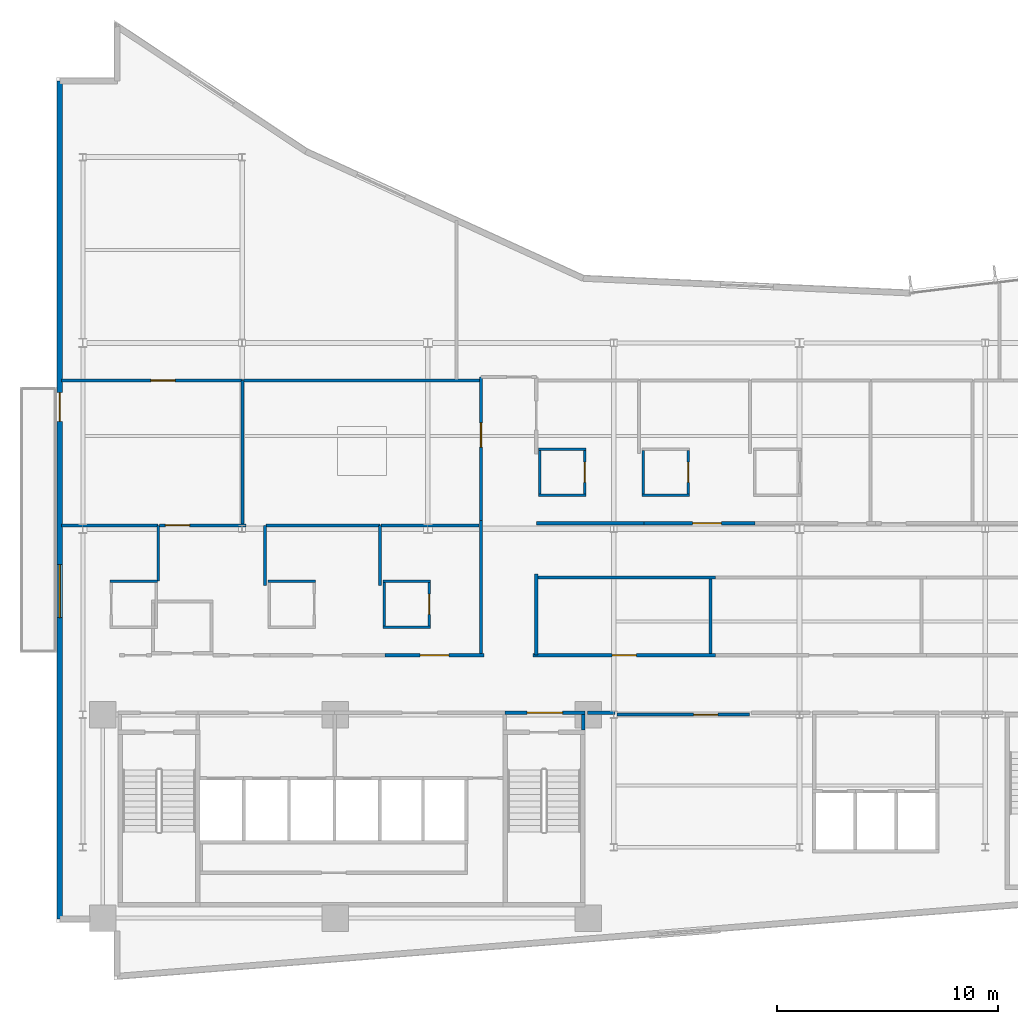
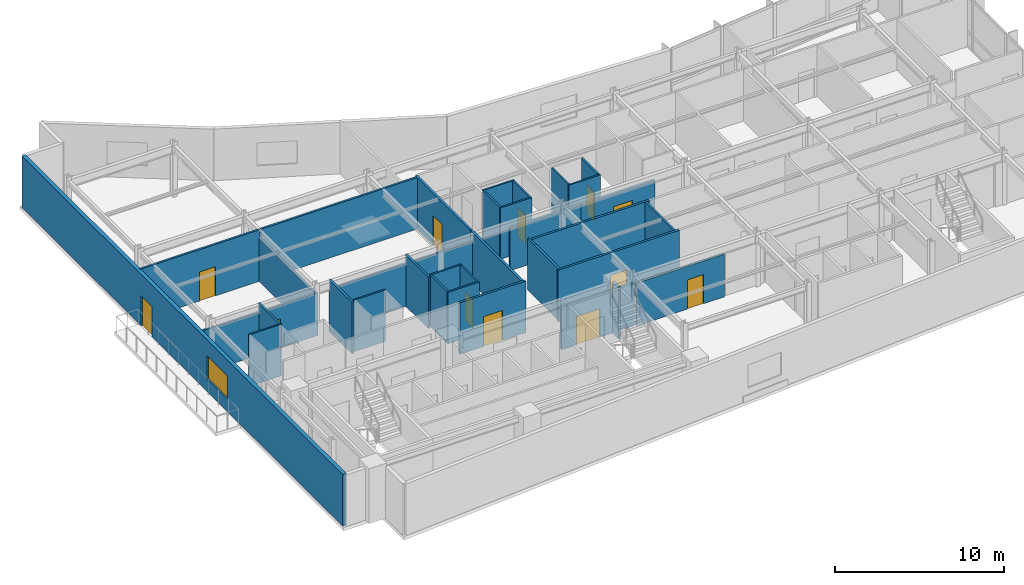
# One storey, part 11 of 19: 37 walls, 12 doors, 1 window, 13 openings.
"""IFC4 building model written with IfcOpenShell, lengths in metres."""

import ifcopenshell
import ifcopenshell.guid

model = None  # the IFC model being written
_history = None  # IfcOwnerHistory: only IFC2X3 demands one
_inside = {}  # id of a spatial element -> (the spatial element, [elements in it])
_under = {}  # id of a project, library or spatial element -> (it, [spatial elements below it])
_declared = {}  # id of a project -> (the project, [libraries it declares])
_typed = {}  # id of a type object -> (the type object, [elements of that type])
_made_of = {}  # id of a material, layer set ... -> (it, [elements and type objects made of it])


def new_model(schema):
    """Start an empty IFC model of exactly this schema.

    Asked for "IFC4X3", IfcOpenShell would pick the latest addendum, in which some entities
    have other attributes; the version numbers below select the first issue.
    IFC2X3 requires an IfcOwnerHistory on every rooted entity: one is made here for all.
    """
    global model, _history
    if schema == "IFC4X3":
        model = ifcopenshell.file(schema_version=(4, 3, 0, 0))
    else:
        model = ifcopenshell.file(schema=schema)
    _inside.clear()
    _under.clear()
    _declared.clear()
    _typed.clear()
    _made_of.clear()
    _history = None
    if model.schema == "IFC2X3":
        org = make("IfcOrganization", Name="unknown")
        user = make(
            "IfcPersonAndOrganization",
            ThePerson=make("IfcPerson", FamilyName="unknown"),
            TheOrganization=org,
        )
        app = make(
            "IfcApplication",
            ApplicationDeveloper=org,
            Version="unknown",
            ApplicationFullName="unknown",
            ApplicationIdentifier="unknown",
        )
        _history = make(
            "IfcOwnerHistory",
            OwningUser=user,
            OwningApplication=app,
            ChangeAction="ADDED",
            CreationDate=0,
        )
    return model


def make(cls, **values):
    """One entity of the class cls with the attributes given. An attribute that is None is left unset."""
    return model.create_entity(
        cls, **{name: value for name, value in values.items() if value is not None}
    )


def rooted(cls, **values):
    """An entity with a GlobalId (a new one), such as an element, a storey or a relation."""
    return make(cls, GlobalId=ifcopenshell.guid.new(), OwnerHistory=_history, **values)


def si_unit(unit_type, name, prefix=None):
    """IfcSIUnit, for example si_unit("LENGTHUNIT", "METRE", prefix="MILLI")."""
    return make("IfcSIUnit", UnitType=unit_type, Prefix=prefix, Name=name)


def assignment(units):
    """IfcUnitAssignment: the units of a project."""
    return None if units is None else make("IfcUnitAssignment", Units=units)


def point(xyz):
    """IfcCartesianPoint."""
    return None if xyz is None else make("IfcCartesianPoint", Coordinates=xyz)


def direction(xyz):
    """IfcDirection."""
    return None if xyz is None else make("IfcDirection", DirectionRatios=xyz)


def frame(location, z_axis=None, x_axis=None):
    """IfcAxis2Placement3D, a coordinate frame: its origin and axes. An axis left out is left unset."""
    return make(
        "IfcAxis2Placement3D",
        Location=point(location),
        Axis=direction(z_axis),
        RefDirection=direction(x_axis),
    )


def frame_2d(location, x_axis=None):
    """IfcAxis2Placement2D, a coordinate frame in the plane: its origin and x axis."""
    return make(
        "IfcAxis2Placement2D", Location=point(location), RefDirection=direction(x_axis)
    )


def origin():
    """The frame at (0, 0, 0) with its axes left unset."""
    return frame((0.0, 0.0, 0.0))


def place(relative_to, where):
    """IfcLocalPlacement: puts the frame where relative to a parent placement (None: the world)."""
    return make(
        "IfcLocalPlacement", PlacementRelTo=relative_to, RelativePlacement=where
    )


def context(
    kind, dimensions, precision=None, world=None, true_north=None, identifier=None
):
    """IfcGeometricRepresentationContext, for example the 3D "Model" context."""
    return make(
        "IfcGeometricRepresentationContext",
        ContextIdentifier=identifier,
        ContextType=kind,
        CoordinateSpaceDimension=dimensions,
        Precision=precision,
        WorldCoordinateSystem=world,
        TrueNorth=true_north,
    )


def subcontext(parent, identifier, kind, view, scale=None):
    """IfcGeometricRepresentationSubContext, for example "Body" below "Model"."""
    return make(
        "IfcGeometricRepresentationSubContext",
        ContextIdentifier=identifier,
        ContextType=kind,
        ParentContext=parent,
        TargetScale=scale,
        TargetView=view,
    )


def project(units=None, contexts=None):
    """IfcProject with its units and contexts."""
    return rooted(
        "IfcProject",
        Name="project",
        RepresentationContexts=contexts,
        UnitsInContext=assignment(units),
    )


def spatial(cls, under=None, at=None, **own):
    """A site, building, storey or space (cls), placed at a placement, below another one or the project."""
    s = rooted(cls, ObjectPlacement=at, **own)
    if under is not None:
        _under.setdefault(under.id(), (under, []))[1].append(s)
    return s


def profile(cls, at=None, kind="AREA", **sizes):
    """A parametric profile (cls). Its sizes go by their IFC names, for example OverallWidth=200.0."""
    return make(cls, ProfileType=kind, Position=at, **sizes)


def rectangle(**sizes):
    """IfcRectangleProfileDef."""
    return profile("IfcRectangleProfileDef", **sizes)


def extrude(swept, where, along, depth):
    """IfcExtrudedAreaSolid: the profile swept, set in the frame where, extruded along a direction by depth."""
    return make(
        "IfcExtrudedAreaSolid",
        SweptArea=swept,
        Position=where,
        ExtrudedDirection=direction(along),
        Depth=depth,
    )


def shape(context_of_items, identifier, shape_type, items):
    """IfcShapeRepresentation: the items that make up one representation, for example the "Body"."""
    return make(
        "IfcShapeRepresentation",
        ContextOfItems=context_of_items,
        RepresentationIdentifier=identifier,
        RepresentationType=shape_type,
        Items=items,
    )


def material(Name=None, Category=None):
    """IfcMaterial."""
    return make("IfcMaterial", Name=Name, Category=Category)


def layer(
    of_material, thickness, ventilated=None, Name=None, Category=None, Priority=None
):
    """IfcMaterialLayer: one layer of a wall or slab, of a material (None: an air gap)."""
    return make(
        "IfcMaterialLayer",
        Material=of_material,
        LayerThickness=thickness,
        IsVentilated=ventilated,
        Name=Name,
        Category=Category,
        Priority=Priority,
    )


def layer_set(layers, Name=None):
    """IfcMaterialLayerSet."""
    return make("IfcMaterialLayerSet", MaterialLayers=layers, LayerSetName=Name)


def made_of(thing, what):
    """Note that an element or type object is made of a material, layer set ...; save() writes the relation."""
    if what is not None:
        _made_of.setdefault(what.id(), (what, []))[1].append(thing)
    return thing


def type_object(cls, material=None, **own):
    """A type object (cls), such as IfcWallType, which elements share."""
    return made_of(rooted(cls, **own), material)


def element(
    cls,
    number,
    at=None,
    inside=None,
    cuts=None,
    type_object=None,
    material=None,
    context=None,
    identifier="Body",
    shape_type=None,
    held_by="IfcProductDefinitionShape",
    body=None,
    shapes=None,
    **own,
):
    """One element of the class cls, such as IfcWall. Its Tag is "e" and its number.

    at: its placement. inside: the storey or other place that contains it. cuts: it is an
    opening in that element (IfcRelVoidsElement). A single representation is given by context,
    identifier, shape_type and body (its items); several are given by shapes. held_by: the class
    of the entity that holds the representations. save() writes the other relations.
    """
    e = rooted(cls, Tag="e%d" % number, ObjectPlacement=at, **own)
    if body is not None:
        shapes = [shape(context, identifier, shape_type, body)]
    if shapes is not None:
        e.Representation = make(held_by, Representations=shapes)
    if inside is not None:
        _inside.setdefault(inside.id(), (inside, []))[1].append(e)
    if cuts is not None:
        rooted(
            "IfcRelVoidsElement", RelatingBuildingElement=cuts, RelatedOpeningElement=e
        )
    if type_object is not None:
        _typed.setdefault(type_object.id(), (type_object, []))[1].append(e)
    return made_of(e, material)


def fill(opening, filler):
    """IfcRelFillsElement: the door or window that sits in an opening."""
    return rooted(
        "IfcRelFillsElement",
        RelatingOpeningElement=opening,
        RelatedBuildingElement=filler,
    )


def aggregate(whole, parts):
    """IfcRelAggregates: a whole, such as a stair, and the parts it consists of."""
    return rooted("IfcRelAggregates", RelatingObject=whole, RelatedObjects=parts)


def save(model, path):
    """Write the relations noted so far, then the file.

    IfcRelAggregates (storeys below a building ...), IfcRelContainedInSpatialStructure (elements
    in a storey), IfcRelDefinesByType, IfcRelAssociatesMaterial and IfcRelDeclares: one each for
    every whole, place, type object, material and project.
    """
    for whole, parts in _under.values():
        aggregate(whole, parts)
    for where, things in _inside.values():
        rooted(
            "IfcRelContainedInSpatialStructure",
            RelatedElements=things,
            RelatingStructure=where,
        )
    for kind, things in _typed.values():
        rooted("IfcRelDefinesByType", RelatedObjects=things, RelatingType=kind)
    for what, things in _made_of.values():
        rooted("IfcRelAssociatesMaterial", RelatedObjects=things, RelatingMaterial=what)
    for by, libraries in _declared.values():
        rooted("IfcRelDeclares", RelatingContext=by, RelatedDefinitions=libraries)
    model.write(path)


model = new_model("IFC4")

# Units and contexts
model_context = context("Model", 3, precision=1e-05, world=origin(), true_north=direction((0.0, 1.0)))
body_context = subcontext(model_context, "Body", "Model", "MODEL_VIEW")
ifc_project = project(units=[si_unit("LENGTHUNIT", "METRE"), si_unit("AREAUNIT", "SQUARE_METRE"), si_unit("VOLUMEUNIT", "CUBIC_METRE"), si_unit("PLANEANGLEUNIT", "RADIAN"), si_unit("MASSUNIT", "GRAM", prefix="KILO")], contexts=[model_context])

# Site, building, storey
site_placement = place(None, origin())
site = spatial("IfcSite", under=ifc_project, at=site_placement, CompositionType="ELEMENT")
building_placement = place(site_placement, origin())
building = spatial("IfcBuilding", under=site, at=building_placement, Name="Varnakote Quay Hospital", CompositionType="ELEMENT")
storey_placement = place(building_placement, frame((0.0, 0.0, 115.199951171875)))
storey = spatial("IfcBuildingStorey", under=building, at=storey_placement, Name="L28", CompositionType="ELEMENT", Elevation=115.199951171875)

# Wall, opening, door
ifc_material_1 = material(Name="Fire-rated acoustic gypsum stud wall", Category="gypsum")
ifc_layer_1 = layer(ifc_material_1, 0.159912109375)
ifc_layer_set_1 = layer_set([ifc_layer_1], Name="Fire-rated acoustic gypsum stud wall")
wall_type_1 = type_object("IfcWallType", Name="WL-COMP-160", PredefinedType="PARTITIONING", material=ifc_layer_set_1)
wall_1_placement = place(storey_placement, frame((20.280029296875, 12.080078125, 0.0), z_axis=(0.0, 0.0, 1.0), x_axis=(1.0, 0.0, 0.0)))
wall_1 = element("IfcWall", 1, at=wall_1_placement, inside=storey, type_object=wall_type_1, Name="L28 East Stair Vestibule Smoke Wall", PredefinedType="PARTITIONING", context=body_context, shape_type="SweptSolid", body=[
    extrude(rectangle(XDim=3.619873046875, YDim=0.159912109375, at=frame_2d((1.81005859375, 0.0))), origin(), (0.0, 0.0, 1.0), 3.0830078125),
])
opening_1_placement = place(wall_1_placement, frame((1.010009765625, 0.0, 0.0)))
opening_1 = element("IfcOpeningElement", 2, at=opening_1_placement, cuts=wall_1, Name="Opening D-ST2L-L28", PredefinedType="OPENING", context=body_context, shape_type="SweptSolid", body=[
    extrude(rectangle(XDim=1.60009765625, YDim=2.050048828125, at=frame_2d((0.800048828125, 1.02490234375))), frame((0.0, 0.08984375, 0.0), z_axis=(0.0, -1.0, 0.0), x_axis=(1.0, 0.0, 0.0)), (0.0, 0.0, 1.0), 0.179931640625),
])
ifc_material_2 = material(Name="Fire-rated double smoke lobby door")
door_type_1 = type_object("IfcDoorType", Name="DR-LOBBY-FD60S-1600x2150", OperationType="NOTDEFINED", PredefinedType="DOOR", material=ifc_material_2)
door_1_placement = place(opening_1_placement, origin())
door_1 = element("IfcDoor", 3, at=door_1_placement, inside=storey, type_object=door_type_1, Name="L28 East Stair Vestibule Smoke Door", OperationType="DOUBLE_DOOR_SINGLE_SWING", OverallHeight=2.050048828125, OverallWidth=1.60009765625, PredefinedType="DOOR", context=body_context, shape_type="SweptSolid", body=[
    extrude(rectangle(XDim=1.60009765625, YDim=2.050048828125, at=frame_2d((0.800048828125, 1.02490234375))), frame((0.0, 0.02490234375, 0.0), z_axis=(0.0, -1.0, 0.0), x_axis=(1.0, 0.0, 0.0)), (0.0, 0.0, 1.0), 0.050048828125),
])
fill(opening_1, door_1)

# Walls
wall_2_placement = place(storey_placement, frame((23.820068359375, 11.300048828125, 0.0), z_axis=(0.0, 0.0, 1.0), x_axis=(0.0, 1.0, 0.0)))
element("IfcWall", 4, at=wall_2_placement, inside=storey, type_object=wall_type_1, Name="L28 East Stair Vestibule East Wall", PredefinedType="PARTITIONING", context=body_context, shape_type="SweptSolid", body=[
    extrude(rectangle(XDim=0.699951171875, YDim=0.159912109375, at=frame_2d((0.35009765625, 0.0))), origin(), (0.0, 0.0, 1.0), 3.7099609375),
])
wall_3_placement = place(storey_placement, frame((24.02001953125, 12.080078125, 0.0), z_axis=(0.0, 0.0, 1.0), x_axis=(1.0, 0.0, 0.0)))
element("IfcWall", 5, at=wall_3_placement, inside=storey, type_object=wall_type_1, Name="L28 Corridor South Gap Wall", PredefinedType="PARTITIONING", context=body_context, shape_type="SweptSolid", body=[
    extrude(rectangle(XDim=1.2451171875, YDim=0.159912109375, at=frame_2d((0.62255859375, 0.0))), origin(), (0.0, 0.0, 1.0), 3.0830078125),
])
ifc_material_3 = material(Name="Moisture-resistant bathroom partition", Category="gypsum")
ifc_layer_2 = layer(ifc_material_3, 0.114990234375)
ifc_layer_set_2 = layer_set([ifc_layer_2], Name="Moisture-resistant bathroom partition")
wall_type_2 = type_object("IfcWallType", Name="WL-ENS-115", PredefinedType="PARTITIONING", material=ifc_layer_set_2)
wall_4_placement = place(storey_placement, frame((2.43505859375, 18.017578125, 0.0), z_axis=(0.0, 0.0, 1.0), x_axis=(1.0, 0.0, 0.0)))
element("IfcWall", 6, at=wall_4_placement, inside=storey, type_object=wall_type_2, Name="L28 Inpatient En-Suite Bathroom 01 N Wall", PredefinedType="PARTITIONING", context=body_context, shape_type="SweptSolid", body=[
    extrude(rectangle(XDim=2.14990234375, YDim=0.114990234375, at=frame_2d((1.074951171875, 0.0))), origin(), (0.0, 0.0, 1.0), 3.7099609375),
])
for number, where, z_axis, x_axis, name in (
    (7, (9.574951171875, 18.017578125, 0.0), (0.0, 0.0, 1.0), (1.0, 0.0, 0.0), "L28 Inpatient En-Suite Bathroom 02 N Wall"),
    (8, (14.77490234375, 15.952392578125, 0.0), (0.0, 0.0, 1.0), (1.0, 0.0, 0.0), "L28 Inpatient En-Suite Bathroom 03 S Wall"),
    (9, (14.77490234375, 18.017578125, 0.0), (0.0, 0.0, 1.0), (1.0, 0.0, 0.0), "L28 Inpatient En-Suite Bathroom 03 N Wall"),
):
    element("IfcWall", number, at=place(storey_placement, frame(where, z_axis=z_axis, x_axis=x_axis)), inside=storey, type_object=wall_type_2, Name=name, PredefinedType="PARTITIONING", context=body_context, shape_type="SweptSolid", body=[
        extrude(rectangle(XDim=2.150146484375, YDim=0.114990234375, at=frame_2d((1.0751953125, 0.0))), origin(), (0.0, 0.0, 1.0), 3.7099609375),
    ])
wall_5_placement = place(storey_placement, frame((14.83251953125, 16.010009765625, 0.0), z_axis=(0.0, 0.0, 1.0), x_axis=(0.0, 1.0, 0.0)))
element("IfcWall", 10, at=wall_5_placement, inside=storey, type_object=wall_type_2, Name="L28 Inpatient En-Suite Bathroom 03 W Wall", PredefinedType="PARTITIONING", context=body_context, shape_type="SweptSolid", body=[
    extrude(rectangle(XDim=1.949951171875, YDim=0.114990234375, at=frame_2d((0.97509765625, 0.0))), origin(), (0.0, 0.0, 1.0), 3.7099609375),
])

# Wall, opening, door
wall_6_placement = place(storey_placement, frame((16.867431640625, 16.010009765625, 0.0), z_axis=(0.0, 0.0, 1.0), x_axis=(0.0, 1.0, 0.0)))
wall_6 = element("IfcWall", 11, at=wall_6_placement, inside=storey, type_object=wall_type_2, Name="L28 Inpatient En-Suite Bathroom 03 E Wall", PredefinedType="PARTITIONING", context=body_context, shape_type="SweptSolid", body=[
    extrude(rectangle(XDim=1.949951171875, YDim=0.114990234375, at=frame_2d((0.97509765625, 0.0))), origin(), (0.0, 0.0, 1.0), 3.7099609375),
])
opening_2_placement = place(wall_6_placement, frame((0.514892578125, 0.0, 0.0)))
opening_2 = element("IfcOpeningElement", 12, at=opening_2_placement, cuts=wall_6, Name="Opening D-L28-ENS03", PredefinedType="OPENING", context=body_context, shape_type="SweptSolid", body=[
    extrude(rectangle(XDim=0.919921875, YDim=2.10009765625, at=frame_2d((0.4599609375, 1.050048828125))), frame((0.0, 0.0673828125, 0.0), z_axis=(0.0, -1.0, 0.0), x_axis=(1.0, 0.0, 0.0)), (0.0, 0.0, 1.0), 0.135009765625),
])
ifc_material_4 = material(Name="Moisture-sealed en-suite bathroom door")
door_type_2 = type_object("IfcDoorType", Name="DR-ENS-920x2100", OperationType="NOTDEFINED", PredefinedType="DOOR", material=ifc_material_4)
door_2_placement = place(opening_2_placement, origin())
door_2 = element("IfcDoor", 13, at=door_2_placement, inside=storey, type_object=door_type_2, Name="L28 Inpatient En-Suite Bathroom 03 Door", OperationType="SINGLE_SWING_LEFT", OverallHeight=2.10009765625, OverallWidth=0.919921875, PredefinedType="DOOR", context=body_context, shape_type="SweptSolid", body=[
    extrude(rectangle(XDim=0.919921875, YDim=2.10009765625, at=frame_2d((0.4599609375, 1.050048828125))), frame((0.0, 0.02490234375, 0.0), z_axis=(0.0, -1.0, 0.0), x_axis=(1.0, 0.0, 0.0)), (0.0, 0.0, 1.0), 0.050048828125),
])
fill(opening_2, door_2)

# Walls
for number, where, z_axis, x_axis, name in (
    (14, (21.804931640625, 21.922607421875, 0.0), (0.0, 0.0, 1.0), (1.0, 0.0, 0.0), "L28 Inpatient En-Suite Bathroom 04 S Wall"),
    (15, (21.804931640625, 23.987548828125, 0.0), (0.0, 0.0, 1.0), (1.0, 0.0, 0.0), "L28 Inpatient En-Suite Bathroom 04 N Wall"),
):
    element("IfcWall", number, at=place(storey_placement, frame(where, z_axis=z_axis, x_axis=x_axis)), inside=storey, type_object=wall_type_2, Name=name, PredefinedType="PARTITIONING", context=body_context, shape_type="SweptSolid", body=[
        extrude(rectangle(XDim=2.150146484375, YDim=0.114990234375, at=frame_2d((1.0751953125, 0.0))), origin(), (0.0, 0.0, 1.0), 3.7099609375),
    ])
wall_7_placement = place(storey_placement, frame((21.862548828125, 21.97998046875, 0.0), z_axis=(0.0, 0.0, 1.0), x_axis=(0.0, 1.0, 0.0)))
element("IfcWall", 16, at=wall_7_placement, inside=storey, type_object=wall_type_2, Name="L28 Inpatient En-Suite Bathroom 04 W Wall", PredefinedType="PARTITIONING", context=body_context, shape_type="SweptSolid", body=[
    extrude(rectangle(XDim=1.949951171875, YDim=0.114990234375, at=frame_2d((0.97509765625, 0.0))), origin(), (0.0, 0.0, 1.0), 3.7099609375),
])

# Wall, opening, door
wall_8_placement = place(storey_placement, frame((23.8974609375, 21.97998046875, 0.0), z_axis=(0.0, 0.0, 1.0), x_axis=(0.0, 1.0, 0.0)))
wall_8 = element("IfcWall", 17, at=wall_8_placement, inside=storey, type_object=wall_type_2, Name="L28 Inpatient En-Suite Bathroom 04 E Wall", PredefinedType="PARTITIONING", context=body_context, shape_type="SweptSolid", body=[
    extrude(rectangle(XDim=1.949951171875, YDim=0.114990234375, at=frame_2d((0.97509765625, 0.0))), origin(), (0.0, 0.0, 1.0), 3.7099609375),
])
opening_3_placement = place(wall_8_placement, frame((0.514892578125, 0.0, 0.0)))
opening_3 = element("IfcOpeningElement", 18, at=opening_3_placement, cuts=wall_8, Name="Opening D-L28-ENS04", PredefinedType="OPENING", context=body_context, shape_type="SweptSolid", body=[
    extrude(rectangle(XDim=0.919921875, YDim=2.10009765625, at=frame_2d((0.4599609375, 1.050048828125))), frame((0.0, 0.0673828125, 0.0), z_axis=(0.0, -1.0, 0.0), x_axis=(1.0, 0.0, 0.0)), (0.0, 0.0, 1.0), 0.135009765625),
])
door_3_placement = place(opening_3_placement, origin())
door_3 = element("IfcDoor", 19, at=door_3_placement, inside=storey, type_object=door_type_2, Name="L28 Inpatient En-Suite Bathroom 04 Door", OperationType="SINGLE_SWING_RIGHT", OverallHeight=2.10009765625, OverallWidth=0.919921875, PredefinedType="DOOR", context=body_context, shape_type="SweptSolid", body=[
    extrude(rectangle(XDim=0.919921875, YDim=2.10009765625, at=frame_2d((0.4599609375, 1.050048828125))), frame((0.0, 0.02490234375, 0.0), z_axis=(0.0, -1.0, 0.0), x_axis=(1.0, 0.0, 0.0)), (0.0, 0.0, 1.0), 0.050048828125),
])
fill(opening_3, door_3)

# Walls
wall_9_placement = place(storey_placement, frame((26.485107421875, 21.922607421875, 0.0), z_axis=(0.0, 0.0, 1.0), x_axis=(1.0, 0.0, 0.0)))
element("IfcWall", 20, at=wall_9_placement, inside=storey, type_object=wall_type_2, Name="L28 Inpatient En-Suite Bathroom 05 S Wall", PredefinedType="PARTITIONING", context=body_context, shape_type="SweptSolid", body=[
    extrude(rectangle(XDim=2.14990234375, YDim=0.114990234375, at=frame_2d((1.074951171875, 0.0))), origin(), (0.0, 0.0, 1.0), 3.7099609375),
])
wall_10_placement = place(storey_placement, frame((26.54248046875, 21.97998046875, 0.0), z_axis=(0.0, 0.0, 1.0), x_axis=(0.0, 1.0, 0.0)))
element("IfcWall", 21, at=wall_10_placement, inside=storey, type_object=wall_type_2, Name="L28 Inpatient En-Suite Bathroom 05 W Wall", PredefinedType="PARTITIONING", context=body_context, shape_type="SweptSolid", body=[
    extrude(rectangle(XDim=1.949951171875, YDim=0.114990234375, at=frame_2d((0.97509765625, 0.0))), origin(), (0.0, 0.0, 1.0), 3.7099609375),
])

# Wall, opening, door
wall_11_placement = place(storey_placement, frame((28.577392578125, 21.97998046875, 0.0), z_axis=(0.0, 0.0, 1.0), x_axis=(0.0, 1.0, 0.0)))
wall_11 = element("IfcWall", 22, at=wall_11_placement, inside=storey, type_object=wall_type_2, Name="L28 Inpatient En-Suite Bathroom 05 E Wall", PredefinedType="PARTITIONING", context=body_context, shape_type="SweptSolid", body=[
    extrude(rectangle(XDim=1.949951171875, YDim=0.114990234375, at=frame_2d((0.97509765625, 0.0))), origin(), (0.0, 0.0, 1.0), 3.7099609375),
])
opening_4_placement = place(wall_11_placement, frame((0.514892578125, 0.0, 0.0)))
opening_4 = element("IfcOpeningElement", 23, at=opening_4_placement, cuts=wall_11, Name="Opening D-L28-ENS05", PredefinedType="OPENING", context=body_context, shape_type="SweptSolid", body=[
    extrude(rectangle(XDim=0.919921875, YDim=2.10009765625, at=frame_2d((0.4599609375, 1.050048828125))), frame((0.0, 0.0673828125, 0.0), z_axis=(0.0, -1.0, 0.0), x_axis=(1.0, 0.0, 0.0)), (0.0, 0.0, 1.0), 0.135009765625),
])
door_4_placement = place(opening_4_placement, origin())
door_4 = element("IfcDoor", 24, at=door_4_placement, inside=storey, type_object=door_type_2, Name="L28 Inpatient En-Suite Bathroom 05 Door", OperationType="SINGLE_SWING_LEFT", OverallHeight=2.10009765625, OverallWidth=0.919921875, PredefinedType="DOOR", context=body_context, shape_type="SweptSolid", body=[
    extrude(rectangle(XDim=0.919921875, YDim=2.10009765625, at=frame_2d((0.4599609375, 1.050048828125))), frame((0.0, 0.02490234375, 0.0), z_axis=(0.0, -1.0, 0.0), x_axis=(1.0, 0.0, 0.0)), (0.0, 0.0, 1.0), 0.050048828125),
])
fill(opening_4, door_4)

# Wall, openings, door, window
ifc_material_5 = material(Name="Precast concrete N50 (f'c 50 MPa)", Category="concrete")
ifc_layer_3 = layer(ifc_material_5, 0.260009765625)
ifc_layer_set_3 = layer_set([ifc_layer_3], Name="Precast concrete N50 (f'c 50 MPa)")
wall_type_3 = type_object("IfcWallType", Name="WL-EXT-BRICK-260", PredefinedType="STANDARD", material=ifc_layer_set_3)
wall_12_placement = place(storey_placement, frame((0.159912109375, 40.639892578125, 0.0), z_axis=(0.0, 0.0, 1.0), x_axis=(0.0, -1.0, 0.0)))
wall_12 = element("IfcWall", 25, at=wall_12_placement, inside=storey, type_object=wall_type_3, Name="L28 Healing Terrace Portal Brick Wall", PredefinedType="STANDARD", context=body_context, shape_type="SweptSolid", body=[
    extrude(rectangle(XDim=37.8798828125, YDim=0.260009765625, at=frame_2d((18.93994140625, 0.0))), origin(), (0.0, 0.0, 1.0), 3.7099609375),
])
opening_5_placement = place(wall_12_placement, frame((14.0810546875, 0.0, 0.0)))
opening_5 = element("IfcOpeningElement", 26, at=opening_5_placement, cuts=wall_12, Name="Opening DT-L28", PredefinedType="OPENING", context=body_context, shape_type="SweptSolid", body=[
    extrude(rectangle(XDim=1.300048828125, YDim=2.14990234375, at=frame_2d((0.64990234375, 1.074951171875))), frame((0.0, 0.139892578125, 0.0), z_axis=(0.0, -1.0, 0.0), x_axis=(1.0, 0.0, 0.0)), (0.0, 0.0, 1.0), 0.280029296875),
])
opening_6_placement = place(wall_12_placement, frame((21.856201171875, 0.0, 0.89990234375)))
opening_6 = element("IfcOpeningElement", 27, at=opening_6_placement, cuts=wall_12, Name="Opening WN-0310", PredefinedType="OPENING", context=body_context, shape_type="SweptSolid", body=[
    extrude(rectangle(XDim=2.39990234375, YDim=1.64990234375, at=frame_2d((1.199951171875, 0.824951171875))), frame((0.0, 0.139892578125, 0.0), z_axis=(0.0, -1.0, 0.0), x_axis=(1.0, 0.0, 0.0)), (0.0, 0.0, 1.0), 0.280029296875),
])
ifc_material_6 = material(Name="Anodised aluminium glazed terrace door", Category="aluminium")
door_type_3 = type_object("IfcDoorType", Name="DR-EXT-TERR-1300x2150", OperationType="NOTDEFINED", PredefinedType="DOOR", material=ifc_material_6)
door_5_placement = place(opening_5_placement, origin())
door_5 = element("IfcDoor", 28, at=door_5_placement, inside=storey, type_object=door_type_3, Name="L28 Waterfront Healing Terrace Door", OperationType="SINGLE_SWING_LEFT", OverallHeight=2.14990234375, OverallWidth=1.300048828125, PredefinedType="DOOR", context=body_context, shape_type="SweptSolid", body=[
    extrude(rectangle(XDim=1.300048828125, YDim=2.14990234375, at=frame_2d((0.64990234375, 1.074951171875))), frame((0.0, 0.02490234375, 0.0), z_axis=(0.0, -1.0, 0.0), x_axis=(1.0, 0.0, 0.0)), (0.0, 0.0, 1.0), 0.050048828125),
])
fill(opening_5, door_5)
ifc_material_7 = material(Name="Double-glazed low-E solar glass", Category="glass")
window_type = type_object("IfcWindowType", Name="WIN-CLIN-2400x1650", PartitioningType="SINGLE_PANEL", PredefinedType="WINDOW", material=ifc_material_7)
window_placement = place(opening_6_placement, origin())
window = element("IfcWindow", 29, at=window_placement, inside=storey, type_object=window_type, Name="L28 Solar-Control Clinical Window", OverallHeight=1.64990234375, OverallWidth=2.39990234375, PartitioningType="SINGLE_PANEL", PredefinedType="WINDOW", context=body_context, shape_type="SweptSolid", body=[
    extrude(rectangle(XDim=2.39990234375, YDim=1.64990234375, at=frame_2d((1.199951171875, 0.824951171875))), frame((0.0, 0.030029296875, 0.0), z_axis=(0.0, -1.0, 0.0), x_axis=(1.0, 0.0, 0.0)), (0.0, 0.0, 1.0), 0.06005859375),
])
fill(opening_6, window)

# Walls
ifc_material_8 = material(Name="Smoke-proof clinical partition", Category="gypsum")
ifc_layer_4 = layer(ifc_material_8, 0.135009765625)
ifc_layer_set_4 = layer_set([ifc_layer_4], Name="Smoke-proof clinical partition")
wall_type_4 = type_object("IfcWallType", Name="WL-SMOKE-135", PredefinedType="PARTITIONING", material=ifc_layer_set_4)
wall_13_placement = place(storey_placement, frame((4.610107421875, 18.0400390625, 0.0), z_axis=(0.0, 0.0, 1.0), x_axis=(0.0, 1.0, 0.0)))
element("IfcWall", 30, at=wall_13_placement, inside=storey, type_object=wall_type_4, Name="L28 Clinical Interior Partition", PredefinedType="PARTITIONING", context=body_context, shape_type="SweptSolid", body=[
    extrude(rectangle(XDim=2.510009765625, YDim=0.135009765625, at=frame_2d((1.2548828125, 0.0))), origin(), (0.0, 0.0, 1.0), 3.7099609375),
])
wall_14_placement = place(storey_placement, frame((4.610107421875, 20.550048828125, 0.0), z_axis=(0.0, 0.0, 1.0), x_axis=(-1.0, 0.0, 0.0)))
element("IfcWall", 31, at=wall_14_placement, inside=storey, type_object=wall_type_4, Name="L28 Clinical Interior Partition", PredefinedType="PARTITIONING", context=body_context, shape_type="SweptSolid", body=[
    extrude(rectangle(XDim=4.3701171875, YDim=0.135009765625, at=frame_2d((2.18505859375, 0.0))), origin(), (0.0, 0.0, 1.0), 3.0830078125),
])
wall_15_placement = place(storey_placement, frame((9.429931640625, 17.83251953125, 0.0), z_axis=(0.0, 0.0, 1.0), x_axis=(0.0, 1.0, 0.0)))
element("IfcWall", 32, at=wall_15_placement, inside=storey, type_object=wall_type_4, Name="L28 Clinical Interior Partition", PredefinedType="PARTITIONING", context=body_context, shape_type="SweptSolid", body=[
    extrude(rectangle(XDim=2.717529296875, YDim=0.135009765625, at=frame_2d((1.35888671875, 0.0))), origin(), (0.0, 0.0, 1.0), 3.7099609375),
])

# Wall, opening, door
wall_16_placement = place(storey_placement, frame((8.568359375, 20.550048828125, 0.0), z_axis=(0.0, 0.0, 1.0), x_axis=(-1.0, 0.0, 0.0)))
wall_16 = element("IfcWall", 33, at=wall_16_placement, inside=storey, type_object=wall_type_4, Name="L28 Clinical Interior Partition", PredefinedType="PARTITIONING", context=body_context, shape_type="SweptSolid", body=[
    extrude(rectangle(XDim=3.90087890625, YDim=0.135009765625, at=frame_2d((1.950439453125, 0.0))), origin(), (0.0, 0.0, 1.0), 3.0830078125),
])
opening_7_placement = place(wall_16_placement, frame((2.540771484375, 0.0, 0.0)))
opening_7 = element("IfcOpeningElement", 34, at=opening_7_placement, cuts=wall_16, Name="Opening D-L28-DLNG", PredefinedType="OPENING", context=body_context, shape_type="SweptSolid", body=[
    extrude(rectangle(XDim=1.10009765625, YDim=2.10009765625, at=frame_2d((0.550048828125, 1.050048828125))), frame((0.0, 0.077392578125, 0.0), z_axis=(0.0, -1.0, 0.0), x_axis=(1.0, 0.0, 0.0)), (0.0, 0.0, 1.0), 0.155029296875),
])
ifc_material_9 = material(Name="Acoustic timber clinical consult door", Category="wood")
door_type_4 = type_object("IfcDoorType", Name="DR-CLIN-FD30S-1100x2100", OperationType="NOTDEFINED", PredefinedType="DOOR", material=ifc_material_9)
door_6_placement = place(opening_7_placement, origin())
door_6 = element("IfcDoor", 35, at=door_6_placement, inside=storey, type_object=door_type_4, Name="L28 Waterfront Patient & Family Dayroom Door", OperationType="SINGLE_SWING_RIGHT", OverallHeight=2.10009765625, OverallWidth=1.10009765625, PredefinedType="DOOR", context=body_context, shape_type="SweptSolid", body=[
    extrude(rectangle(XDim=1.10009765625, YDim=2.10009765625, at=frame_2d((0.550048828125, 1.050048828125))), frame((0.0, 0.02490234375, 0.0), z_axis=(0.0, -1.0, 0.0), x_axis=(1.0, 0.0, 0.0)), (0.0, 0.0, 1.0), 0.050048828125),
])
fill(opening_7, door_6)

# Walls
wall_17_placement = place(storey_placement, frame((14.6298828125, 17.83251953125, 0.0), z_axis=(0.0, 0.0, 1.0), x_axis=(0.0, 1.0, 0.0)))
element("IfcWall", 36, at=wall_17_placement, inside=storey, type_object=wall_type_4, Name="L28 Clinical Interior Partition", PredefinedType="PARTITIONING", context=body_context, shape_type="SweptSolid", body=[
    extrude(rectangle(XDim=2.717529296875, YDim=0.135009765625, at=frame_2d((1.35888671875, 0.0))), origin(), (0.0, 0.0, 1.0), 3.7099609375),
])
wall_18_placement = place(storey_placement, frame((14.6298828125, 20.550048828125, 0.0), z_axis=(0.0, 0.0, 1.0), x_axis=(-1.0, 0.0, 0.0)))
element("IfcWall", 37, at=wall_18_placement, inside=storey, type_object=wall_type_4, Name="L28 Clinical Interior Partition", PredefinedType="PARTITIONING", context=body_context, shape_type="SweptSolid", body=[
    extrude(rectangle(XDim=5.142333984375, YDim=0.135009765625, at=frame_2d((2.5712890625, 0.0))), origin(), (0.0, 0.0, 1.0), 3.0830078125),
])
wall_19_placement = place(storey_placement, frame((19.1201171875, 20.550048828125, 0.0), z_axis=(0.0, 0.0, 1.0), x_axis=(-1.0, 0.0, 0.0)))
element("IfcWall", 38, at=wall_19_placement, inside=storey, type_object=wall_type_4, Name="L28 Clinical Interior Partition", PredefinedType="PARTITIONING", context=body_context, shape_type="SweptSolid", body=[
    extrude(rectangle(XDim=4.4326171875, YDim=0.135009765625, at=frame_2d((2.21630859375, 0.0))), origin(), (0.0, 0.0, 1.0), 3.0830078125),
])
wall_20_placement = place(storey_placement, frame((29.580078125, 14.760009765625, 0.0), z_axis=(0.0, 0.0, 1.0), x_axis=(0.0, 1.0, 0.0)))
element("IfcWall", 39, at=wall_20_placement, inside=storey, type_object=wall_type_4, Name="L28 Clinical Interior Partition", PredefinedType="PARTITIONING", context=body_context, shape_type="SweptSolid", body=[
    extrude(rectangle(XDim=3.360107421875, YDim=0.135009765625, at=frame_2d((1.68017578125, 0.0))), origin(), (0.0, 0.0, 1.0), 3.7099609375),
])
wall_21_placement = place(storey_placement, frame((8.409912109375, 20.607421875, 0.0), z_axis=(0.0, 0.0, 1.0), x_axis=(0.0, 1.0, 0.0)))
element("IfcWall", 40, at=wall_21_placement, inside=storey, type_object=wall_type_4, Name="L28 Clinical Interior Partition", PredefinedType="PARTITIONING", context=body_context, shape_type="SweptSolid", body=[
    extrude(rectangle(XDim=6.49267578125, YDim=0.135009765625, at=frame_2d((3.246337890625, 0.0))), origin(), (0.0, 0.0, 1.0), 3.152099609375),
])

# Wall, opening, door
wall_22_placement = place(storey_placement, frame((8.409912109375, 27.10009765625, 0.0), z_axis=(0.0, 0.0, 1.0), x_axis=(-1.0, 0.0, 0.0)))
wall_22 = element("IfcWall", 41, at=wall_22_placement, inside=storey, type_object=wall_type_4, Name="L28 Clinical Interior Partition", PredefinedType="PARTITIONING", context=body_context, shape_type="SweptSolid", body=[
    extrude(rectangle(XDim=8.169921875, YDim=0.135009765625, at=frame_2d((4.0849609375, 0.0))), origin(), (0.0, 0.0, 1.0), 3.7099609375),
])
opening_8_placement = place(wall_22_placement, frame((3.034912109375, 0.0, 0.0)))
opening_8 = element("IfcOpeningElement", 42, at=opening_8_placement, cuts=wall_22, Name="Opening D-L28-MD11", PredefinedType="OPENING", context=body_context, shape_type="SweptSolid", body=[
    extrude(rectangle(XDim=1.10009765625, YDim=2.10009765625, at=frame_2d((0.550048828125, 1.050048828125))), frame((0.0, 0.077392578125, 0.0), z_axis=(0.0, -1.0, 0.0), x_axis=(1.0, 0.0, 0.0)), (0.0, 0.0, 1.0), 0.155029296875),
])
door_7_placement = place(opening_8_placement, origin())
door_7 = element("IfcDoor", 43, at=door_7_placement, inside=storey, type_object=door_type_4, Name="L28 Perinatal Clinical Consultation Suite Door", OperationType="SINGLE_SWING_LEFT", OverallHeight=2.10009765625, OverallWidth=1.10009765625, PredefinedType="DOOR", context=body_context, shape_type="SweptSolid", body=[
    extrude(rectangle(XDim=1.10009765625, YDim=2.10009765625, at=frame_2d((0.550048828125, 1.050048828125))), frame((0.0, 0.02490234375, 0.0), z_axis=(0.0, -1.0, 0.0), x_axis=(1.0, 0.0, 0.0)), (0.0, 0.0, 1.0), 0.050048828125),
])
fill(opening_8, door_7)

# Wall
wall_23_placement = place(storey_placement, frame((19.135009765625, 27.10009765625, 0.0), z_axis=(0.0, 0.0, 1.0), x_axis=(-1.0, 0.0, 0.0)))
element("IfcWall", 44, at=wall_23_placement, inside=storey, type_object=wall_type_4, Name="L28 Clinical Interior Partition", PredefinedType="PARTITIONING", context=body_context, shape_type="SweptSolid", body=[
    extrude(rectangle(XDim=10.66748046875, YDim=0.135009765625, at=frame_2d((5.333740234375, 0.0))), origin(), (0.0, 0.0, 1.0), 3.7099609375),
])

# Wall, opening, door
ifc_material_10 = material(Name="Fire-rated clinical gypsum partition", Category="gypsum")
ifc_layer_5 = layer(ifc_material_10, 0.14990234375)
ifc_layer_set_5 = layer_set([ifc_layer_5], Name="Fire-rated clinical gypsum partition")
wall_type_5 = type_object("IfcWallType", Name="WL-WARD-150", PredefinedType="PARTITIONING", material=ifc_layer_set_5)
wall_24_placement = place(storey_placement, frame((31.35009765625, 12.0, 0.0), z_axis=(0.0, 0.0, 1.0), x_axis=(-1.0, 0.0, 0.0)))
wall_24 = element("IfcWall", 45, at=wall_24_placement, inside=storey, type_object=wall_type_5, Name="L28 Clinical Interior Partition", PredefinedType="PARTITIONING", context=body_context, shape_type="SweptSolid", body=[
    extrude(rectangle(XDim=5.99560546875, YDim=0.14990234375, at=frame_2d((2.997802734375, 0.0))), origin(), (0.0, 0.0, 1.0), 3.0830078125),
])
opening_9_placement = place(wall_24_placement, frame((1.436279296875, 0.0, 0.0)))
opening_9 = element("IfcOpeningElement", 46, at=opening_9_placement, cuts=wall_24, Name="Opening D-L28-RL1", PredefinedType="OPENING", context=body_context, shape_type="SweptSolid", body=[
    extrude(rectangle(XDim=1.10009765625, YDim=2.10009765625, at=frame_2d((0.550048828125, 1.050048828125))), frame((0.0, 0.0849609375, 0.0), z_axis=(0.0, -1.0, 0.0), x_axis=(1.0, 0.0, 0.0)), (0.0, 0.0, 1.0), 0.169921875),
])
door_8_placement = place(opening_9_placement, origin())
door_8 = element("IfcDoor", 47, at=door_8_placement, inside=storey, type_object=door_type_4, Name="L28 Day Infusion Treatment Suite Door", OperationType="SINGLE_SWING_LEFT", OverallHeight=2.10009765625, OverallWidth=1.10009765625, PredefinedType="DOOR", context=body_context, shape_type="SweptSolid", body=[
    extrude(rectangle(XDim=1.10009765625, YDim=2.10009765625, at=frame_2d((0.550048828125, 1.050048828125))), frame((0.0, 0.02490234375, 0.0), z_axis=(0.0, -1.0, 0.0), x_axis=(1.0, 0.0, 0.0)), (0.0, 0.0, 1.0), 0.050048828125),
])
fill(opening_9, door_8)

wall_25_placement = place(storey_placement, frame((19.345947265625, 14.679931640625, 0.0), z_axis=(0.0, 0.0, 1.0), x_axis=(-1.0, 0.0, 0.0)))
wall_25 = element("IfcWall", 48, at=wall_25_placement, inside=storey, type_object=wall_type_5, Name="L28 Clinical Interior Partition", PredefinedType="PARTITIONING", context=body_context, shape_type="SweptSolid", body=[
    extrude(rectangle(XDim=4.488037109375, YDim=0.14990234375, at=frame_2d((2.244140625, 0.0))), origin(), (0.0, 0.0, 1.0), 3.7099609375),
])
opening_10_placement = place(wall_25_placement, frame((1.593994140625, 0.0, 0.0)))
opening_10 = element("IfcOpeningElement", 49, at=opening_10_placement, cuts=wall_25, Name="Opening D-L28-BR03", PredefinedType="OPENING", context=body_context, shape_type="SweptSolid", body=[
    extrude(rectangle(XDim=1.300048828125, YDim=2.14990234375, at=frame_2d((0.64990234375, 1.074951171875))), frame((0.0, 0.0849609375, 0.0), z_axis=(0.0, -1.0, 0.0), x_axis=(1.0, 0.0, 0.0)), (0.0, 0.0, 1.0), 0.169921875),
])
ifc_material_11 = material(Name="Solid-core timber clinical bed door", Category="wood")
door_type_5 = type_object("IfcDoorType", Name="DR-WARD-FD30S-1300x2150", OperationType="NOTDEFINED", PredefinedType="DOOR", material=ifc_material_11)
door_9_placement = place(opening_10_placement, origin())
door_9 = element("IfcDoor", 50, at=door_9_placement, inside=storey, type_object=door_type_5, Name="L28 Resident Care Bedroom 03 Door", OperationType="SINGLE_SWING_RIGHT", OverallHeight=2.14990234375, OverallWidth=1.300048828125, PredefinedType="DOOR", context=body_context, shape_type="SweptSolid", body=[
    extrude(rectangle(XDim=1.300048828125, YDim=2.14990234375, at=frame_2d((0.64990234375, 1.074951171875))), frame((0.0, 0.02490234375, 0.0), z_axis=(0.0, -1.0, 0.0), x_axis=(1.0, 0.0, 0.0)), (0.0, 0.0, 1.0), 0.050048828125),
])
fill(opening_10, door_9)

wall_26_placement = place(storey_placement, frame((29.805908203125, 14.679931640625, 0.0), z_axis=(0.0, 0.0, 1.0), x_axis=(-1.0, 0.0, 0.0)))
wall_26 = element("IfcWall", 51, at=wall_26_placement, inside=storey, type_object=wall_type_5, Name="L28 Clinical Interior Partition", PredefinedType="PARTITIONING", context=body_context, shape_type="SweptSolid", body=[
    extrude(rectangle(XDim=8.251953125, YDim=0.14990234375, at=frame_2d((4.1259765625, 0.0))), origin(), (0.0, 0.0, 1.0), 3.7099609375),
])
opening_11_placement = place(wall_26_placement, frame((3.575927734375, 0.0, 0.0)))
opening_11 = element("IfcOpeningElement", 52, at=opening_11_placement, cuts=wall_26, Name="Opening D-L28-MD02", PredefinedType="OPENING", context=body_context, shape_type="SweptSolid", body=[
    extrude(rectangle(XDim=1.10009765625, YDim=2.10009765625, at=frame_2d((0.550048828125, 1.050048828125))), frame((0.0, 0.0849609375, 0.0), z_axis=(0.0, -1.0, 0.0), x_axis=(1.0, 0.0, 0.0)), (0.0, 0.0, 1.0), 0.169921875),
])
door_10_placement = place(opening_11_placement, origin())
door_10 = element("IfcDoor", 53, at=door_10_placement, inside=storey, type_object=door_type_4, Name="L28 Specialty Ward Treatment Suite Door", OperationType="SINGLE_SWING_LEFT", OverallHeight=2.10009765625, OverallWidth=1.10009765625, PredefinedType="DOOR", context=body_context, shape_type="SweptSolid", body=[
    extrude(rectangle(XDim=1.10009765625, YDim=2.10009765625, at=frame_2d((0.550048828125, 1.050048828125))), frame((0.0, 0.02490234375, 0.0), z_axis=(0.0, -1.0, 0.0), x_axis=(1.0, 0.0, 0.0)), (0.0, 0.0, 1.0), 0.050048828125),
])
fill(opening_11, door_10)

# Walls
wall_27_placement = place(storey_placement, frame((19.199951171875, 20.77587890625, 0.0), z_axis=(0.0, 0.0, 1.0), x_axis=(0.0, -1.0, 0.0)))
element("IfcWall", 54, at=wall_27_placement, inside=storey, type_object=wall_type_5, Name="L28 Clinical Interior Partition", PredefinedType="PARTITIONING", context=body_context, shape_type="SweptSolid", body=[
    extrude(rectangle(XDim=6.075927734375, YDim=0.14990234375, at=frame_2d((3.0380859375, 0.0))), origin(), (0.0, 0.0, 1.0), 3.7099609375),
])
wall_28_placement = place(storey_placement, frame((21.699951171875, 14.699951171875, 0.0), z_axis=(0.0, 0.0, 1.0), x_axis=(0.0, 1.0, 0.0)))
element("IfcWall", 55, at=wall_28_placement, inside=storey, type_object=wall_type_5, Name="L28 Clinical Interior Partition", PredefinedType="PARTITIONING", context=body_context, shape_type="SweptSolid", body=[
    extrude(rectangle(XDim=3.64599609375, YDim=0.14990234375, at=frame_2d((1.822998046875, 0.0))), origin(), (0.0, 0.0, 1.0), 3.7099609375),
])

# Wall, opening, door
wall_29_placement = place(storey_placement, frame((19.199951171875, 27.260009765625, 0.0), z_axis=(0.0, 0.0, 1.0), x_axis=(0.0, -1.0, 0.0)))
wall_29 = element("IfcWall", 56, at=wall_29_placement, inside=storey, type_object=wall_type_5, Name="L28 Clinical Interior Partition", PredefinedType="PARTITIONING", context=body_context, shape_type="SweptSolid", body=[
    extrude(rectangle(XDim=6.48193359375, YDim=0.14990234375, at=frame_2d((3.240966796875, 0.0))), origin(), (0.0, 0.0, 1.0), 3.7099609375),
])
opening_12_placement = place(wall_29_placement, frame((2.068359375, 0.0, 0.0)))
opening_12 = element("IfcOpeningElement", 57, at=opening_12_placement, cuts=wall_29, Name="Opening D-L28-MD06", PredefinedType="OPENING", context=body_context, shape_type="SweptSolid", body=[
    extrude(rectangle(XDim=1.10009765625, YDim=2.10009765625, at=frame_2d((0.550048828125, 1.050048828125))), frame((0.0, 0.0849609375, 0.0), z_axis=(0.0, -1.0, 0.0), x_axis=(1.0, 0.0, 0.0)), (0.0, 0.0, 1.0), 0.169921875),
])
door_11_placement = place(opening_12_placement, origin())
door_11 = element("IfcDoor", 58, at=door_11_placement, inside=storey, type_object=door_type_4, Name="L28 Specialty Ward Treatment Suite Door", OperationType="SINGLE_SWING_LEFT", OverallHeight=2.10009765625, OverallWidth=1.10009765625, PredefinedType="DOOR", context=body_context, shape_type="SweptSolid", body=[
    extrude(rectangle(XDim=1.10009765625, YDim=2.10009765625, at=frame_2d((0.550048828125, 1.050048828125))), frame((0.0, 0.02490234375, 0.0), z_axis=(0.0, -1.0, 0.0), x_axis=(1.0, 0.0, 0.0)), (0.0, 0.0, 1.0), 0.050048828125),
])
fill(opening_12, door_11)

# Walls
wall_30_placement = place(storey_placement, frame((21.719970703125, 18.199951171875, 0.0), z_axis=(0.0, 0.0, 1.0), x_axis=(1.0, 0.0, 0.0)))
element("IfcWall", 59, at=wall_30_placement, inside=storey, type_object=wall_type_5, Name="L28 Clinical Interior Partition", PredefinedType="PARTITIONING", context=body_context, shape_type="SweptSolid", body=[
    extrude(rectangle(XDim=8.0859375, YDim=0.14990234375, at=frame_2d((4.04296875, 0.0))), origin(), (0.0, 0.0, 1.0), 3.7099609375),
])
wall_31_placement = place(storey_placement, frame((26.56591796875, 20.64990234375, 0.0), z_axis=(0.0, 0.0, 1.0), x_axis=(-1.0, 0.0, 0.0)))
element("IfcWall", 60, at=wall_31_placement, inside=storey, type_object=wall_type_5, Name="L28 Clinical Interior Partition", PredefinedType="PARTITIONING", context=body_context, shape_type="SweptSolid", body=[
    extrude(rectangle(XDim=4.845947265625, YDim=0.14990234375, at=frame_2d((2.4228515625, 0.0))), origin(), (0.0, 0.0, 1.0), 3.0830078125),
])

# Wall, opening, door
wall_32_placement = place(storey_placement, frame((31.595947265625, 20.64990234375, 0.0), z_axis=(0.0, 0.0, 1.0), x_axis=(-1.0, 0.0, 0.0)))
wall_32 = element("IfcWall", 61, at=wall_32_placement, inside=storey, type_object=wall_type_5, Name="L28 Clinical Interior Partition", PredefinedType="PARTITIONING", context=body_context, shape_type="SweptSolid", body=[
    extrude(rectangle(XDim=5.02783203125, YDim=0.14990234375, at=frame_2d((2.513916015625, 0.0))), origin(), (0.0, 0.0, 1.0), 3.0830078125),
])
opening_13_placement = place(wall_32_placement, frame((1.53125, 0.0, 0.0)))
opening_13 = element("IfcOpeningElement", 62, at=opening_13_placement, cuts=wall_32, Name="Opening D-L28-BR05", PredefinedType="OPENING", context=body_context, shape_type="SweptSolid", body=[
    extrude(rectangle(XDim=1.300048828125, YDim=2.14990234375, at=frame_2d((0.64990234375, 1.074951171875))), frame((0.0, 0.0849609375, 0.0), z_axis=(0.0, -1.0, 0.0), x_axis=(1.0, 0.0, 0.0)), (0.0, 0.0, 1.0), 0.169921875),
])
door_12_placement = place(opening_13_placement, origin())
door_12 = element("IfcDoor", 63, at=door_12_placement, inside=storey, type_object=door_type_5, Name="L28 Resident Care Bedroom 05 Door", OperationType="SINGLE_SWING_RIGHT", OverallHeight=2.14990234375, OverallWidth=1.300048828125, PredefinedType="DOOR", context=body_context, shape_type="SweptSolid", body=[
    extrude(rectangle(XDim=1.300048828125, YDim=2.14990234375, at=frame_2d((0.64990234375, 1.074951171875))), frame((0.0, 0.02490234375, 0.0), z_axis=(0.0, -1.0, 0.0), x_axis=(1.0, 0.0, 0.0)), (0.0, 0.0, 1.0), 0.050048828125),
])
fill(opening_13, door_12)

save(model, "model.ifc")
